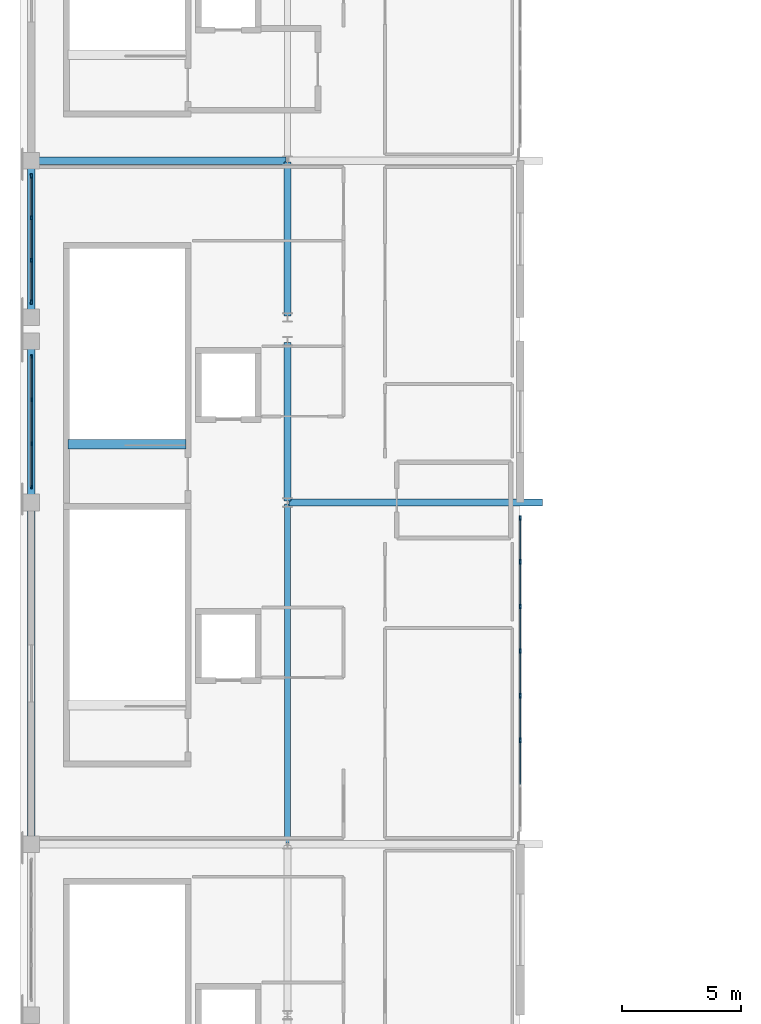
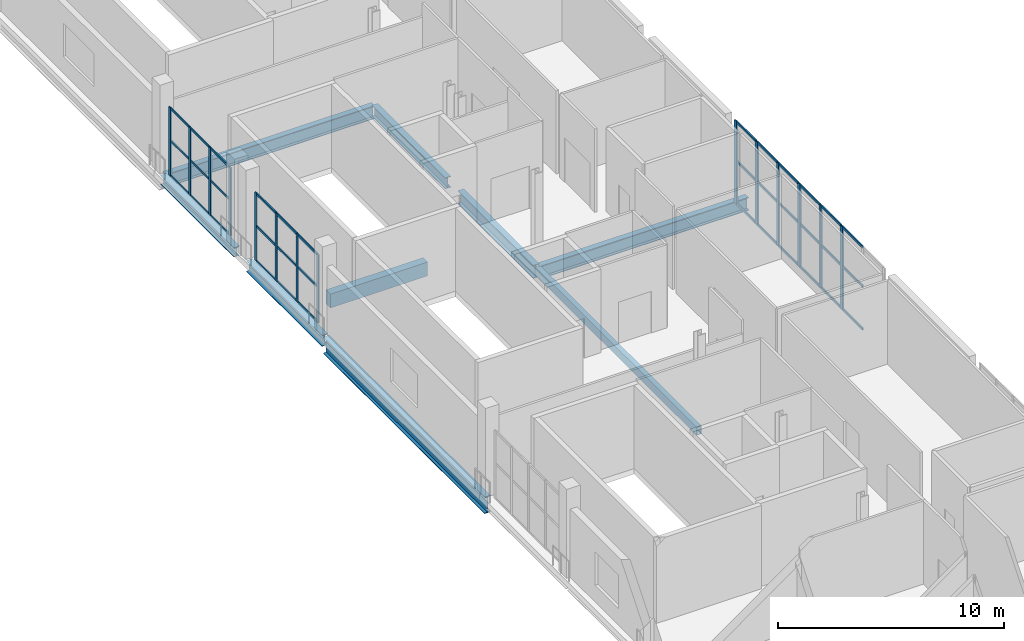
# One storey, part 5 of 19: 50 members, 9 beams, 3 elements without a shape of their own.
"""IFC4 building model written with IfcOpenShell, lengths in metres."""

import ifcopenshell
import ifcopenshell.guid

model = None  # the IFC model being written
_history = None  # IfcOwnerHistory: only IFC2X3 demands one
_inside = {}  # id of a spatial element -> (the spatial element, [elements in it])
_under = {}  # id of a project, library or spatial element -> (it, [spatial elements below it])
_declared = {}  # id of a project -> (the project, [libraries it declares])
_typed = {}  # id of a type object -> (the type object, [elements of that type])
_made_of = {}  # id of a material, layer set ... -> (it, [elements and type objects made of it])


def new_model(schema):
    """Start an empty IFC model of exactly this schema.

    Asked for "IFC4X3", IfcOpenShell would pick the latest addendum, in which some entities
    have other attributes; the version numbers below select the first issue.
    IFC2X3 requires an IfcOwnerHistory on every rooted entity: one is made here for all.
    """
    global model, _history
    if schema == "IFC4X3":
        model = ifcopenshell.file(schema_version=(4, 3, 0, 0))
    else:
        model = ifcopenshell.file(schema=schema)
    _inside.clear()
    _under.clear()
    _declared.clear()
    _typed.clear()
    _made_of.clear()
    _history = None
    if model.schema == "IFC2X3":
        org = make("IfcOrganization", Name="unknown")
        user = make(
            "IfcPersonAndOrganization",
            ThePerson=make("IfcPerson", FamilyName="unknown"),
            TheOrganization=org,
        )
        app = make(
            "IfcApplication",
            ApplicationDeveloper=org,
            Version="unknown",
            ApplicationFullName="unknown",
            ApplicationIdentifier="unknown",
        )
        _history = make(
            "IfcOwnerHistory",
            OwningUser=user,
            OwningApplication=app,
            ChangeAction="ADDED",
            CreationDate=0,
        )
    return model


def make(cls, **values):
    """One entity of the class cls with the attributes given. An attribute that is None is left unset."""
    return model.create_entity(
        cls, **{name: value for name, value in values.items() if value is not None}
    )


def rooted(cls, **values):
    """An entity with a GlobalId (a new one), such as an element, a storey or a relation."""
    return make(cls, GlobalId=ifcopenshell.guid.new(), OwnerHistory=_history, **values)


def si_unit(unit_type, name, prefix=None):
    """IfcSIUnit, for example si_unit("LENGTHUNIT", "METRE", prefix="MILLI")."""
    return make("IfcSIUnit", UnitType=unit_type, Prefix=prefix, Name=name)


def assignment(units):
    """IfcUnitAssignment: the units of a project."""
    return None if units is None else make("IfcUnitAssignment", Units=units)


def point(xyz):
    """IfcCartesianPoint."""
    return None if xyz is None else make("IfcCartesianPoint", Coordinates=xyz)


def direction(xyz):
    """IfcDirection."""
    return None if xyz is None else make("IfcDirection", DirectionRatios=xyz)


def frame(location, z_axis=None, x_axis=None):
    """IfcAxis2Placement3D, a coordinate frame: its origin and axes. An axis left out is left unset."""
    return make(
        "IfcAxis2Placement3D",
        Location=point(location),
        Axis=direction(z_axis),
        RefDirection=direction(x_axis),
    )


def frame_2d(location, x_axis=None):
    """IfcAxis2Placement2D, a coordinate frame in the plane: its origin and x axis."""
    return make(
        "IfcAxis2Placement2D", Location=point(location), RefDirection=direction(x_axis)
    )


def origin():
    """The frame at (0, 0, 0) with its axes left unset."""
    return frame((0.0, 0.0, 0.0))


def origin_2d():
    """The frame at (0, 0) in the plane with its x axis left unset."""
    return frame_2d((0.0, 0.0))


def place(relative_to, where):
    """IfcLocalPlacement: puts the frame where relative to a parent placement (None: the world)."""
    return make(
        "IfcLocalPlacement", PlacementRelTo=relative_to, RelativePlacement=where
    )


def context(
    kind, dimensions, precision=None, world=None, true_north=None, identifier=None
):
    """IfcGeometricRepresentationContext, for example the 3D "Model" context."""
    return make(
        "IfcGeometricRepresentationContext",
        ContextIdentifier=identifier,
        ContextType=kind,
        CoordinateSpaceDimension=dimensions,
        Precision=precision,
        WorldCoordinateSystem=world,
        TrueNorth=true_north,
    )


def subcontext(parent, identifier, kind, view, scale=None):
    """IfcGeometricRepresentationSubContext, for example "Body" below "Model"."""
    return make(
        "IfcGeometricRepresentationSubContext",
        ContextIdentifier=identifier,
        ContextType=kind,
        ParentContext=parent,
        TargetScale=scale,
        TargetView=view,
    )


def project(units=None, contexts=None):
    """IfcProject with its units and contexts."""
    return rooted(
        "IfcProject",
        Name="project",
        RepresentationContexts=contexts,
        UnitsInContext=assignment(units),
    )


def spatial(cls, under=None, at=None, **own):
    """A site, building, storey or space (cls), placed at a placement, below another one or the project."""
    s = rooted(cls, ObjectPlacement=at, **own)
    if under is not None:
        _under.setdefault(under.id(), (under, []))[1].append(s)
    return s


def profile(cls, at=None, kind="AREA", **sizes):
    """A parametric profile (cls). Its sizes go by their IFC names, for example OverallWidth=200.0."""
    return make(cls, ProfileType=kind, Position=at, **sizes)


def rectangle(**sizes):
    """IfcRectangleProfileDef."""
    return profile("IfcRectangleProfileDef", **sizes)


def hollow_rectangle(**sizes):
    """IfcRectangleHollowProfileDef."""
    return profile("IfcRectangleHollowProfileDef", **sizes)


def i_section(**sizes):
    """IfcIShapeProfileDef."""
    return profile("IfcIShapeProfileDef", **sizes)


def extrude(swept, where, along, depth):
    """IfcExtrudedAreaSolid: the profile swept, set in the frame where, extruded along a direction by depth."""
    return make(
        "IfcExtrudedAreaSolid",
        SweptArea=swept,
        Position=where,
        ExtrudedDirection=direction(along),
        Depth=depth,
    )


def shape(context_of_items, identifier, shape_type, items):
    """IfcShapeRepresentation: the items that make up one representation, for example the "Body"."""
    return make(
        "IfcShapeRepresentation",
        ContextOfItems=context_of_items,
        RepresentationIdentifier=identifier,
        RepresentationType=shape_type,
        Items=items,
    )


def material(Name=None, Category=None):
    """IfcMaterial."""
    return make("IfcMaterial", Name=Name, Category=Category)


def material_profile(
    of_material, cross_section, Name=None, Category=None, Priority=None
):
    """IfcMaterialProfile: a cross section and its material."""
    return make(
        "IfcMaterialProfile",
        Name=Name,
        Material=of_material,
        Profile=cross_section,
        Priority=Priority,
        Category=Category,
    )


def profile_set(profiles, Name=None, composite=None):
    """IfcMaterialProfileSet."""
    return make(
        "IfcMaterialProfileSet",
        Name=Name,
        MaterialProfiles=profiles,
        CompositeProfile=composite,
    )


def made_of(thing, what):
    """Note that an element or type object is made of a material, layer set ...; save() writes the relation."""
    if what is not None:
        _made_of.setdefault(what.id(), (what, []))[1].append(thing)
    return thing


def type_object(cls, material=None, **own):
    """A type object (cls), such as IfcWallType, which elements share."""
    return made_of(rooted(cls, **own), material)


def element(
    cls,
    number,
    at=None,
    inside=None,
    cuts=None,
    type_object=None,
    material=None,
    context=None,
    identifier="Body",
    shape_type=None,
    held_by="IfcProductDefinitionShape",
    body=None,
    shapes=None,
    **own,
):
    """One element of the class cls, such as IfcWall. Its Tag is "e" and its number.

    at: its placement. inside: the storey or other place that contains it. cuts: it is an
    opening in that element (IfcRelVoidsElement). A single representation is given by context,
    identifier, shape_type and body (its items); several are given by shapes. held_by: the class
    of the entity that holds the representations. save() writes the other relations.
    """
    e = rooted(cls, Tag="e%d" % number, ObjectPlacement=at, **own)
    if body is not None:
        shapes = [shape(context, identifier, shape_type, body)]
    if shapes is not None:
        e.Representation = make(held_by, Representations=shapes)
    if inside is not None:
        _inside.setdefault(inside.id(), (inside, []))[1].append(e)
    if cuts is not None:
        rooted(
            "IfcRelVoidsElement", RelatingBuildingElement=cuts, RelatedOpeningElement=e
        )
    if type_object is not None:
        _typed.setdefault(type_object.id(), (type_object, []))[1].append(e)
    return made_of(e, material)


def aggregate(whole, parts):
    """IfcRelAggregates: a whole, such as a stair, and the parts it consists of."""
    return rooted("IfcRelAggregates", RelatingObject=whole, RelatedObjects=parts)


def save(model, path):
    """Write the relations noted so far, then the file.

    IfcRelAggregates (storeys below a building ...), IfcRelContainedInSpatialStructure (elements
    in a storey), IfcRelDefinesByType, IfcRelAssociatesMaterial and IfcRelDeclares: one each for
    every whole, place, type object, material and project.
    """
    for whole, parts in _under.values():
        aggregate(whole, parts)
    for where, things in _inside.values():
        rooted(
            "IfcRelContainedInSpatialStructure",
            RelatedElements=things,
            RelatingStructure=where,
        )
    for kind, things in _typed.values():
        rooted("IfcRelDefinesByType", RelatedObjects=things, RelatingType=kind)
    for what, things in _made_of.values():
        rooted("IfcRelAssociatesMaterial", RelatedObjects=things, RelatingMaterial=what)
    for by, libraries in _declared.values():
        rooted("IfcRelDeclares", RelatingContext=by, RelatedDefinitions=libraries)
    model.write(path)


model = new_model("IFC4")

# Units and contexts
model_context = context("Model", 3, precision=1e-05, world=origin(), true_north=direction((0.0, 1.0)))
body_context = subcontext(model_context, "Body", "Model", "MODEL_VIEW")
ifc_project = project(units=[si_unit("LENGTHUNIT", "METRE"), si_unit("AREAUNIT", "SQUARE_METRE"), si_unit("VOLUMEUNIT", "CUBIC_METRE"), si_unit("PLANEANGLEUNIT", "RADIAN"), si_unit("MASSUNIT", "GRAM", prefix="KILO")], contexts=[model_context])

# Site, building, storey
site_placement = place(None, origin())
site = spatial("IfcSite", under=ifc_project, at=site_placement, CompositionType="ELEMENT")
building_placement = place(site_placement, origin())
building = spatial("IfcBuilding", under=site, at=building_placement, Name="Koshinbarg Plaza Stadium", CompositionType="ELEMENT")
storey_placement = place(building_placement, frame((0.0, 0.0, 29.39990234375)))
storey = spatial("IfcBuildingStorey", under=building, at=storey_placement, Name="L06", CompositionType="ELEMENT", Elevation=29.39990234375)

# Beams
ifc_material_1 = material(Name="Concrete C40/50", Category="concrete")
ifc_material_profile_1 = material_profile(ifc_material_1, rectangle(XDim=0.39990234375, YDim=0.75, at=origin_2d()), Name="RC 400x750")
ifc_profile_set_1 = profile_set([ifc_material_profile_1], Name="Concrete C40/50")
beam_type_1 = type_object("IfcBeamType", Name="BM-RCG-03", PredefinedType="USERDEFINED", material=ifc_profile_set_1)
beam_1_placement = place(storey_placement, frame((26.14990234375, 71.159912109375, -0.375), z_axis=(1.0, 0.0, 0.0), x_axis=(0.0, 1.0, 0.0)))
element("IfcBeam", 1, at=beam_1_placement, inside=storey, type_object=beam_type_1, Name="L06 stair landing header beam C04", ObjectType="GIRDER", PredefinedType="USERDEFINED", context=body_context, shape_type="SweptSolid", body=[
    extrude(rectangle(XDim=0.39990234375, YDim=0.75, at=origin_2d()), origin(), (0.0, 0.0, 1.0), 4.97021484375),
])
ifc_material_2 = material(Name="Steel S355", Category="steel")
ifc_material_profile_2 = material_profile(ifc_material_2, i_section(OverallWidth=0.300048828125, OverallDepth=0.5, WebThickness=0.014404296875, FlangeThickness=0.028076171875, at=origin_2d()), Name="HEB 500")
ifc_profile_set_2 = profile_set([ifc_material_profile_2], Name="Steel S355")
beam_type_2 = type_object("IfcBeamType", Name="BM-SGIR-01", PredefinedType="USERDEFINED", material=ifc_profile_set_2)
beam_2_placement = place(storey_placement, frame((24.60009765625, 76.56005859375, -0.5498046875), z_axis=(0.0, 1.0, 0.0), x_axis=(-1.0, 0.0, 0.0)))
element("IfcBeam", 2, at=beam_2_placement, inside=storey, type_object=beam_type_2, Name="L06 Y girder 5/L-M", ObjectType="GIRDER", PredefinedType="USERDEFINED", context=body_context, shape_type="SweptSolid", body=[
    extrude(i_section(OverallWidth=0.300048828125, OverallDepth=0.5, WebThickness=0.014404296875, FlangeThickness=0.028076171875, at=origin_2d()), origin(), (0.0, 0.0, 1.0), 6.47998046875),
])
ifc_material_profile_3 = material_profile(ifc_material_2, i_section(OverallWidth=0.300048828125, OverallDepth=0.60009765625, WebThickness=0.015380859375, FlangeThickness=0.030029296875, at=origin_2d()), Name="HEB 600")
ifc_profile_set_3 = profile_set([ifc_material_profile_3], Name="Steel S355")
beam_type_3 = type_object("IfcBeamType", Name="BM-SGIR-02", PredefinedType="USERDEFINED", material=ifc_profile_set_3)
beam_3_placement = place(storey_placement, frame((24.60009765625, 68.760009765625, -0.599853515625), z_axis=(0.0, 1.0, 0.0), x_axis=(-1.0, 0.0, 0.0)))
element("IfcBeam", 3, at=beam_3_placement, inside=storey, type_object=beam_type_3, Name="L06 Y girder 5/J-K", ObjectType="GIRDER", PredefinedType="USERDEFINED", context=body_context, shape_type="SweptSolid", body=[
    extrude(i_section(OverallWidth=0.300048828125, OverallDepth=0.60009765625, WebThickness=0.015380859375, FlangeThickness=0.030029296875, at=origin_2d()), origin(), (0.0, 0.0, 1.0), 6.679931640625),
])
beam_4_placement = place(storey_placement, frame((35.39990234375, 76.56005859375, -0.599853515625), z_axis=(0.0, 1.0, 0.0), x_axis=(-1.0, 0.0, 0.0)))
element("IfcBeam", 4, at=beam_4_placement, inside=storey, type_object=beam_type_3, Name="L06 Y girder 6/L-M", ObjectType="GIRDER", PredefinedType="USERDEFINED", context=body_context, shape_type="SweptSolid", body=[
    extrude(i_section(OverallWidth=0.300048828125, OverallDepth=0.60009765625, WebThickness=0.015380859375, FlangeThickness=0.030029296875, at=origin_2d()), origin(), (0.0, 0.0, 1.0), 6.47998046875),
])
ifc_material_profile_4 = material_profile(ifc_material_2, i_section(OverallWidth=0.300048828125, OverallDepth=0.699951171875, WebThickness=0.01708984375, FlangeThickness=0.031982421875, at=origin_2d()), Name="HEB 700")
ifc_profile_set_4 = profile_set([ifc_material_profile_4], Name="Steel S355")
beam_type_4 = type_object("IfcBeamType", Name="BM-SGIR-03", PredefinedType="USERDEFINED", material=ifc_profile_set_4)
beam_5_placement = place(storey_placement, frame((35.4599609375, 68.699951171875, -0.64990234375), z_axis=(1.0, 0.0, 0.0), x_axis=(0.0, 1.0, 0.0)))
element("IfcBeam", 5, at=beam_5_placement, inside=storey, type_object=beam_type_4, Name="L06 X girder J/6-7", ObjectType="GIRDER", PredefinedType="USERDEFINED", context=body_context, shape_type="SweptSolid", body=[
    extrude(i_section(OverallWidth=0.300048828125, OverallDepth=0.699951171875, WebThickness=0.01708984375, FlangeThickness=0.031982421875, at=origin_2d()), origin(), (0.0, 0.0, 1.0), 10.679931640625),
])
beam_6_placement = place(storey_placement, frame((24.659912109375, 83.10009765625, -0.64990234375), z_axis=(1.0, 0.0, 0.0), x_axis=(0.0, 1.0, 0.0)))
element("IfcBeam", 6, at=beam_6_placement, inside=storey, type_object=beam_type_4, Name="L06 X girder M/5-6", ObjectType="GIRDER", PredefinedType="USERDEFINED", context=body_context, shape_type="SweptSolid", body=[
    extrude(i_section(OverallWidth=0.300048828125, OverallDepth=0.699951171875, WebThickness=0.01708984375, FlangeThickness=0.031982421875, at=origin_2d()), origin(), (0.0, 0.0, 1.0), 10.68017578125),
])
beam_7_placement = place(storey_placement, frame((35.39990234375, 68.760009765625, -0.64990234375), z_axis=(0.0, 1.0, 0.0), x_axis=(-1.0, 0.0, 0.0)))
element("IfcBeam", 7, at=beam_7_placement, inside=storey, type_object=beam_type_4, Name="L06 Y girder 6/J-K", ObjectType="GIRDER", PredefinedType="USERDEFINED", context=body_context, shape_type="SweptSolid", body=[
    extrude(i_section(OverallWidth=0.300048828125, OverallDepth=0.699951171875, WebThickness=0.01708984375, FlangeThickness=0.031982421875, at=origin_2d()), origin(), (0.0, 0.0, 1.0), 6.679931640625),
])
ifc_material_profile_5 = material_profile(ifc_material_2, i_section(OverallWidth=0.300048828125, OverallDepth=0.89990234375, WebThickness=0.0185546875, FlangeThickness=0.034912109375, at=origin_2d()), Name="HEB 900")
ifc_profile_set_5 = profile_set([ifc_material_profile_5], Name="Steel S355")
beam_type_5 = type_object("IfcBeamType", Name="BM-SGIR-05", PredefinedType="USERDEFINED", material=ifc_profile_set_5)
beam_8_placement = place(storey_placement, frame((24.60009765625, 54.360107421875, -0.75), z_axis=(0.0, 1.0, 0.0), x_axis=(-1.0, 0.0, 0.0)))
element("IfcBeam", 8, at=beam_8_placement, inside=storey, type_object=beam_type_5, Name="L06 Y girder 5/H-J", ObjectType="GIRDER", PredefinedType="USERDEFINED", context=body_context, shape_type="SweptSolid", body=[
    extrude(i_section(OverallWidth=0.300048828125, OverallDepth=0.89990234375, WebThickness=0.0185546875, FlangeThickness=0.034912109375, at=origin_2d()), origin(), (0.0, 0.0, 1.0), 14.27978515625),
])
ifc_material_profile_6 = material_profile(ifc_material_2, hollow_rectangle(XDim=0.25, YDim=0.449951171875, WallThickness=0.01611328125, at=origin_2d()), Name="RHS 450x250x16")
ifc_profile_set_6 = profile_set([ifc_material_profile_6], Name="Steel S355")
beam_type_6 = type_object("IfcBeamType", Name="BM-SGIR-06", PredefinedType="USERDEFINED", material=ifc_profile_set_6)
beam_9_placement = place(storey_placement, frame((35.39990234375, 54.360107421875, -0.52490234375), z_axis=(0.0, 1.0, 0.0), x_axis=(-1.0, 0.0, 0.0)))
element("IfcBeam", 9, at=beam_9_placement, inside=storey, type_object=beam_type_6, Name="L06 Y girder 6/H-J", ObjectType="GIRDER", PredefinedType="USERDEFINED", context=body_context, shape_type="SweptSolid", body=[
    extrude(hollow_rectangle(XDim=0.25, YDim=0.449951171875, WallThickness=0.01611328125, at=origin_2d()), origin(), (0.0, 0.0, 1.0), 14.27978515625),
])

# Curtain wall, members
ifc_material_3 = material(Name="Thermally broken anodised aluminium and low-E double glazing", Category="aluminium")
curtain_wall_type_1 = type_object("IfcCurtainWallType", Name="CW-SYS-10", PredefinedType="NOTDEFINED", material=ifc_material_3)
curtain_wall_1_placement = place(storey_placement, origin())
curtain_wall_1 = element("IfcCurtainWall", 10, at=curtain_wall_1_placement, inside=storey, type_object=curtain_wall_type_1, Name="L06 unitised curtain wall CW-L06-153", PredefinedType="NOTDEFINED")
ifc_material_4 = material(Name="Anodised aluminium mullion", Category="aluminium")
ifc_material_profile_7 = material_profile(ifc_material_4, rectangle(XDim=0.06005859375, YDim=0.159912109375, at=origin_2d()), Name="ALU 60x160")
ifc_profile_set_7 = profile_set([ifc_material_profile_7], Name="Anodised aluminium mullion")
member_type_1 = type_object("IfcMemberType", Name="CW-MUL-02", PredefinedType="MULLION", material=ifc_profile_set_7)
member_1_placement = place(storey_placement, frame((24.60009765625, 69.35009765625, 0.0), z_axis=(0.0, 0.0, 1.0), x_axis=(-1.0, 0.0, 0.0)))
member_1 = element("IfcMember", 11, at=member_1_placement, type_object=member_type_1, Name="CW10 mullion 1", PredefinedType="MULLION", context=body_context, shape_type="SweptSolid", body=[
    extrude(rectangle(XDim=0.06005859375, YDim=0.159912109375, at=origin_2d()), origin(), (0.0, 0.0, 1.0), 3.68017578125),
])
member_2_placement = place(storey_placement, frame((24.60009765625, 71.17333984375, 0.0), z_axis=(0.0, 0.0, 1.0), x_axis=(-1.0, 0.0, 0.0)))
member_2 = element("IfcMember", 12, at=member_2_placement, type_object=member_type_1, Name="CW10 mullion 2", PredefinedType="MULLION", context=body_context, shape_type="SweptSolid", body=[
    extrude(rectangle(XDim=0.06005859375, YDim=0.159912109375, at=origin_2d()), origin(), (0.0, 0.0, 1.0), 3.68017578125),
])
member_3_placement = place(storey_placement, frame((24.60009765625, 73.026611328125, 0.0), z_axis=(0.0, 0.0, 1.0), x_axis=(-1.0, 0.0, 0.0)))
member_3 = element("IfcMember", 13, at=member_3_placement, type_object=member_type_1, Name="CW10 mullion 3", PredefinedType="MULLION", context=body_context, shape_type="SweptSolid", body=[
    extrude(rectangle(XDim=0.06005859375, YDim=0.159912109375, at=origin_2d()), origin(), (0.0, 0.0, 1.0), 3.68017578125),
])
member_4_placement = place(storey_placement, frame((24.60009765625, 74.85009765625, 0.0), z_axis=(0.0, 0.0, 1.0), x_axis=(-1.0, 0.0, 0.0)))
member_4 = element("IfcMember", 14, at=member_4_placement, type_object=member_type_1, Name="CW10 mullion 4", PredefinedType="MULLION", context=body_context, shape_type="SweptSolid", body=[
    extrude(rectangle(XDim=0.06005859375, YDim=0.159912109375, at=origin_2d()), origin(), (0.0, 0.0, 1.0), 3.68017578125),
])

curtain_wall_type_2 = type_object("IfcCurtainWallType", Name="CW-SYS-11", PredefinedType="NOTDEFINED", material=ifc_material_3)
curtain_wall_2_placement = place(storey_placement, origin())
curtain_wall_2 = element("IfcCurtainWall", 15, at=curtain_wall_2_placement, inside=storey, type_object=curtain_wall_type_2, Name="L06 unitised curtain wall CW-L06-154", PredefinedType="NOTDEFINED")
ifc_material_profile_8 = material_profile(ifc_material_4, rectangle(XDim=0.070068359375, YDim=0.179931640625, at=origin_2d()), Name="ALU 70x180")
ifc_profile_set_8 = profile_set([ifc_material_profile_8], Name="Anodised aluminium mullion")
member_type_2 = type_object("IfcMemberType", Name="CW-MUL-03", PredefinedType="MULLION", material=ifc_profile_set_8)
member_5_placement = place(storey_placement, frame((24.60009765625, 77.14990234375, 0.0), z_axis=(0.0, 0.0, 1.0), x_axis=(-1.0, 0.0, 0.0)))
member_5 = element("IfcMember", 16, at=member_5_placement, type_object=member_type_2, Name="CW11 mullion 1", PredefinedType="MULLION", context=body_context, shape_type="SweptSolid", body=[
    extrude(rectangle(XDim=0.070068359375, YDim=0.179931640625, at=origin_2d()), origin(), (0.0, 0.0, 1.0), 3.68017578125),
])
member_6_placement = place(storey_placement, frame((24.60009765625, 78.90673828125, 0.0), z_axis=(0.0, 0.0, 1.0), x_axis=(-1.0, 0.0, 0.0)))
member_6 = element("IfcMember", 17, at=member_6_placement, type_object=member_type_2, Name="CW11 mullion 2", PredefinedType="MULLION", context=body_context, shape_type="SweptSolid", body=[
    extrude(rectangle(XDim=0.070068359375, YDim=0.179931640625, at=origin_2d()), origin(), (0.0, 0.0, 1.0), 3.68017578125),
])
member_7_placement = place(storey_placement, frame((24.60009765625, 80.693359375, 0.0), z_axis=(0.0, 0.0, 1.0), x_axis=(-1.0, 0.0, 0.0)))
member_7 = element("IfcMember", 18, at=member_7_placement, type_object=member_type_2, Name="CW11 mullion 3", PredefinedType="MULLION", context=body_context, shape_type="SweptSolid", body=[
    extrude(rectangle(XDim=0.070068359375, YDim=0.179931640625, at=origin_2d()), origin(), (0.0, 0.0, 1.0), 3.68017578125),
])
member_8_placement = place(storey_placement, frame((24.60009765625, 82.449951171875, 0.0), z_axis=(0.0, 0.0, 1.0), x_axis=(-1.0, 0.0, 0.0)))
member_8 = element("IfcMember", 19, at=member_8_placement, type_object=member_type_2, Name="CW11 mullion 4", PredefinedType="MULLION", context=body_context, shape_type="SweptSolid", body=[
    extrude(rectangle(XDim=0.070068359375, YDim=0.179931640625, at=origin_2d()), origin(), (0.0, 0.0, 1.0), 3.68017578125),
])

curtain_wall_type_3 = type_object("IfcCurtainWallType", Name="CW-SYS-16", PredefinedType="NOTDEFINED", material=ifc_material_3)
curtain_wall_3_placement = place(storey_placement, origin())
curtain_wall_3 = element("IfcCurtainWall", 20, at=curtain_wall_3_placement, inside=storey, type_object=curtain_wall_type_3, Name="L06 unitised curtain wall CW-L06-159", PredefinedType="NOTDEFINED")
ifc_material_profile_9 = material_profile(ifc_material_4, rectangle(XDim=0.070068359375, YDim=0.199951171875, at=origin_2d()), Name="ALU 70x200")
ifc_profile_set_9 = profile_set([ifc_material_profile_9], Name="Anodised aluminium mullion")
member_type_3 = type_object("IfcMemberType", Name="CW-MUL-04", PredefinedType="MULLION", material=ifc_profile_set_9)
member_9_placement = place(storey_placement, frame((45.199951171875, 68.050048828125, 0.0), z_axis=(0.0, 0.0, 1.0), x_axis=(1.0, 0.0, 0.0)))
member_9 = element("IfcMember", 21, at=member_9_placement, type_object=member_type_3, Name="CW16 mullion 1", PredefinedType="MULLION", context=body_context, shape_type="SweptSolid", body=[
    extrude(rectangle(XDim=0.070068359375, YDim=0.199951171875, at=origin_2d()), origin(), (0.0, 0.0, 1.0), 4.47998046875),
])
member_10_placement = place(storey_placement, frame((45.199951171875, 66.199951171875, 0.0), z_axis=(0.0, 0.0, 1.0), x_axis=(1.0, 0.0, 0.0)))
member_10 = element("IfcMember", 22, at=member_10_placement, type_object=member_type_3, Name="CW16 mullion 2", PredefinedType="MULLION", context=body_context, shape_type="SweptSolid", body=[
    extrude(rectangle(XDim=0.070068359375, YDim=0.199951171875, at=origin_2d()), origin(), (0.0, 0.0, 1.0), 4.47998046875),
])
member_11_placement = place(storey_placement, frame((45.199951171875, 64.320068359375, 0.0), z_axis=(0.0, 0.0, 1.0), x_axis=(1.0, 0.0, 0.0)))
member_11 = element("IfcMember", 23, at=member_11_placement, type_object=member_type_3, Name="CW16 mullion 3", PredefinedType="MULLION", context=body_context, shape_type="SweptSolid", body=[
    extrude(rectangle(XDim=0.070068359375, YDim=0.199951171875, at=origin_2d()), origin(), (0.0, 0.0, 1.0), 4.47998046875),
])
member_12_placement = place(storey_placement, frame((45.199951171875, 62.43994140625, 0.0), z_axis=(0.0, 0.0, 1.0), x_axis=(1.0, 0.0, 0.0)))
member_12 = element("IfcMember", 24, at=member_12_placement, type_object=member_type_3, Name="CW16 mullion 4", PredefinedType="MULLION", context=body_context, shape_type="SweptSolid", body=[
    extrude(rectangle(XDim=0.070068359375, YDim=0.199951171875, at=origin_2d()), origin(), (0.0, 0.0, 1.0), 4.47998046875),
])
member_13_placement = place(storey_placement, frame((45.199951171875, 60.56005859375, 0.0), z_axis=(0.0, 0.0, 1.0), x_axis=(1.0, 0.0, 0.0)))
member_13 = element("IfcMember", 25, at=member_13_placement, type_object=member_type_3, Name="CW16 mullion 5", PredefinedType="MULLION", context=body_context, shape_type="SweptSolid", body=[
    extrude(rectangle(XDim=0.070068359375, YDim=0.199951171875, at=origin_2d()), origin(), (0.0, 0.0, 1.0), 4.47998046875),
])
member_14_placement = place(storey_placement, frame((45.199951171875, 58.679931640625, 0.0), z_axis=(0.0, 0.0, 1.0), x_axis=(1.0, 0.0, 0.0)))
member_14 = element("IfcMember", 26, at=member_14_placement, type_object=member_type_3, Name="CW16 mullion 6", PredefinedType="MULLION", context=body_context, shape_type="SweptSolid", body=[
    extrude(rectangle(XDim=0.070068359375, YDim=0.199951171875, at=origin_2d()), origin(), (0.0, 0.0, 1.0), 4.47998046875),
])

# Member
ifc_material_5 = material(Name="Anodised aluminium transom", Category="aluminium")
ifc_material_profile_10 = material_profile(ifc_material_5, rectangle(XDim=0.06005859375, YDim=0.110107421875, at=origin_2d()), Name="ALU 60x110")
ifc_profile_set_10 = profile_set([ifc_material_profile_10], Name="Anodised aluminium transom")
member_type_4 = type_object("IfcMemberType", Name="CW-TRN-01", PredefinedType="USERDEFINED", material=ifc_profile_set_10)
member_15_placement = place(storey_placement, frame((24.60009765625, 77.179931640625, 0.030029296875), z_axis=(0.0, 1.0, 0.0), x_axis=(-1.0, 0.0, 0.0)))
member_15 = element("IfcMember", 27, at=member_15_placement, type_object=member_type_4, Name="CW11 transom 1.1", ObjectType="TRANSOM", PredefinedType="USERDEFINED", context=body_context, shape_type="SweptSolid", body=[
    extrude(rectangle(XDim=0.06005859375, YDim=0.110107421875, at=origin_2d()), origin(), (0.0, 0.0, 1.0), 1.69677734375),
])

member_16_placement = place(storey_placement, frame((24.60009765625, 77.179931640625, 1.913818359375), z_axis=(0.0, 1.0, 0.0), x_axis=(-1.0, 0.0, 0.0)))
member_16 = element("IfcMember", 28, at=member_16_placement, type_object=member_type_4, Name="CW11 transom 1.2", ObjectType="TRANSOM", PredefinedType="USERDEFINED", context=body_context, shape_type="SweptSolid", body=[
    extrude(rectangle(XDim=0.06005859375, YDim=0.110107421875, at=origin_2d()), origin(), (0.0, 0.0, 1.0), 1.69677734375),
])

member_17_placement = place(storey_placement, frame((24.60009765625, 77.179931640625, 3.650146484375), z_axis=(0.0, 1.0, 0.0), x_axis=(-1.0, 0.0, 0.0)))
member_17 = element("IfcMember", 29, at=member_17_placement, type_object=member_type_4, Name="CW11 transom 1.3", ObjectType="TRANSOM", PredefinedType="USERDEFINED", context=body_context, shape_type="SweptSolid", body=[
    extrude(rectangle(XDim=0.06005859375, YDim=0.110107421875, at=origin_2d()), origin(), (0.0, 0.0, 1.0), 1.69677734375),
])

member_18_placement = place(storey_placement, frame((24.60009765625, 78.936767578125, 0.030029296875), z_axis=(0.0, 1.0, 0.0), x_axis=(-1.0, 0.0, 0.0)))
member_18 = element("IfcMember", 30, at=member_18_placement, type_object=member_type_4, Name="CW11 transom 2.1", ObjectType="TRANSOM", PredefinedType="USERDEFINED", context=body_context, shape_type="SweptSolid", body=[
    extrude(rectangle(XDim=0.06005859375, YDim=0.110107421875, at=origin_2d()), origin(), (0.0, 0.0, 1.0), 1.7265625),
])

member_19_placement = place(storey_placement, frame((24.60009765625, 78.936767578125, 1.913818359375), z_axis=(0.0, 1.0, 0.0), x_axis=(-1.0, 0.0, 0.0)))
member_19 = element("IfcMember", 31, at=member_19_placement, type_object=member_type_4, Name="CW11 transom 2.2", ObjectType="TRANSOM", PredefinedType="USERDEFINED", context=body_context, shape_type="SweptSolid", body=[
    extrude(rectangle(XDim=0.06005859375, YDim=0.110107421875, at=origin_2d()), origin(), (0.0, 0.0, 1.0), 1.7265625),
])

member_20_placement = place(storey_placement, frame((24.60009765625, 78.936767578125, 3.650146484375), z_axis=(0.0, 1.0, 0.0), x_axis=(-1.0, 0.0, 0.0)))
member_20 = element("IfcMember", 32, at=member_20_placement, type_object=member_type_4, Name="CW11 transom 2.3", ObjectType="TRANSOM", PredefinedType="USERDEFINED", context=body_context, shape_type="SweptSolid", body=[
    extrude(rectangle(XDim=0.06005859375, YDim=0.110107421875, at=origin_2d()), origin(), (0.0, 0.0, 1.0), 1.7265625),
])

member_21_placement = place(storey_placement, frame((24.60009765625, 80.723388671875, 0.030029296875), z_axis=(0.0, 1.0, 0.0), x_axis=(-1.0, 0.0, 0.0)))
member_21 = element("IfcMember", 33, at=member_21_placement, type_object=member_type_4, Name="CW11 transom 3.1", ObjectType="TRANSOM", PredefinedType="USERDEFINED", context=body_context, shape_type="SweptSolid", body=[
    extrude(rectangle(XDim=0.06005859375, YDim=0.110107421875, at=origin_2d()), origin(), (0.0, 0.0, 1.0), 1.696533203125),
])

member_22_placement = place(storey_placement, frame((24.60009765625, 80.723388671875, 1.913818359375), z_axis=(0.0, 1.0, 0.0), x_axis=(-1.0, 0.0, 0.0)))
member_22 = element("IfcMember", 34, at=member_22_placement, type_object=member_type_4, Name="CW11 transom 3.2", ObjectType="TRANSOM", PredefinedType="USERDEFINED", context=body_context, shape_type="SweptSolid", body=[
    extrude(rectangle(XDim=0.06005859375, YDim=0.110107421875, at=origin_2d()), origin(), (0.0, 0.0, 1.0), 1.696533203125),
])

member_23_placement = place(storey_placement, frame((24.60009765625, 80.723388671875, 3.650146484375), z_axis=(0.0, 1.0, 0.0), x_axis=(-1.0, 0.0, 0.0)))
member_23 = element("IfcMember", 35, at=member_23_placement, type_object=member_type_4, Name="CW11 transom 3.3", ObjectType="TRANSOM", PredefinedType="USERDEFINED", context=body_context, shape_type="SweptSolid", body=[
    extrude(rectangle(XDim=0.06005859375, YDim=0.110107421875, at=origin_2d()), origin(), (0.0, 0.0, 1.0), 1.696533203125),
])

aggregate(curtain_wall_2, [member_5, member_6, member_7, member_8, member_15, member_16, member_17, member_18, member_19, member_20, member_21, member_22, member_23])

ifc_material_profile_11 = material_profile(ifc_material_5, rectangle(XDim=0.06005859375, YDim=0.1298828125, at=origin_2d()), Name="ALU 60x130")
ifc_profile_set_11 = profile_set([ifc_material_profile_11], Name="Anodised aluminium transom")
member_type_5 = type_object("IfcMemberType", Name="CW-TRN-02", PredefinedType="USERDEFINED", material=ifc_profile_set_11)
member_24_placement = place(storey_placement, frame((24.60009765625, 69.3798828125, 0.030029296875), z_axis=(0.0, 1.0, 0.0), x_axis=(-1.0, 0.0, 0.0)))
member_24 = element("IfcMember", 36, at=member_24_placement, type_object=member_type_5, Name="CW10 transom 1.1", ObjectType="TRANSOM", PredefinedType="USERDEFINED", context=body_context, shape_type="SweptSolid", body=[
    extrude(rectangle(XDim=0.06005859375, YDim=0.1298828125, at=origin_2d()), origin(), (0.0, 0.0, 1.0), 1.763427734375),
])

member_25_placement = place(storey_placement, frame((24.60009765625, 69.3798828125, 1.913818359375), z_axis=(0.0, 1.0, 0.0), x_axis=(-1.0, 0.0, 0.0)))
member_25 = element("IfcMember", 37, at=member_25_placement, type_object=member_type_5, Name="CW10 transom 1.2", ObjectType="TRANSOM", PredefinedType="USERDEFINED", context=body_context, shape_type="SweptSolid", body=[
    extrude(rectangle(XDim=0.06005859375, YDim=0.1298828125, at=origin_2d()), origin(), (0.0, 0.0, 1.0), 1.763427734375),
])

member_26_placement = place(storey_placement, frame((24.60009765625, 69.3798828125, 3.650146484375), z_axis=(0.0, 1.0, 0.0), x_axis=(-1.0, 0.0, 0.0)))
member_26 = element("IfcMember", 38, at=member_26_placement, type_object=member_type_5, Name="CW10 transom 1.3", ObjectType="TRANSOM", PredefinedType="USERDEFINED", context=body_context, shape_type="SweptSolid", body=[
    extrude(rectangle(XDim=0.06005859375, YDim=0.1298828125, at=origin_2d()), origin(), (0.0, 0.0, 1.0), 1.763427734375),
])

member_27_placement = place(storey_placement, frame((24.60009765625, 71.203369140625, 0.030029296875), z_axis=(0.0, 1.0, 0.0), x_axis=(-1.0, 0.0, 0.0)))
member_27 = element("IfcMember", 39, at=member_27_placement, type_object=member_type_5, Name="CW10 transom 2.1", ObjectType="TRANSOM", PredefinedType="USERDEFINED", context=body_context, shape_type="SweptSolid", body=[
    extrude(rectangle(XDim=0.06005859375, YDim=0.1298828125, at=origin_2d()), origin(), (0.0, 0.0, 1.0), 1.793212890625),
])

member_28_placement = place(storey_placement, frame((24.60009765625, 71.203369140625, 1.913818359375), z_axis=(0.0, 1.0, 0.0), x_axis=(-1.0, 0.0, 0.0)))
member_28 = element("IfcMember", 40, at=member_28_placement, type_object=member_type_5, Name="CW10 transom 2.2", ObjectType="TRANSOM", PredefinedType="USERDEFINED", context=body_context, shape_type="SweptSolid", body=[
    extrude(rectangle(XDim=0.06005859375, YDim=0.1298828125, at=origin_2d()), origin(), (0.0, 0.0, 1.0), 1.793212890625),
])

member_29_placement = place(storey_placement, frame((24.60009765625, 71.203369140625, 3.650146484375), z_axis=(0.0, 1.0, 0.0), x_axis=(-1.0, 0.0, 0.0)))
member_29 = element("IfcMember", 41, at=member_29_placement, type_object=member_type_5, Name="CW10 transom 2.3", ObjectType="TRANSOM", PredefinedType="USERDEFINED", context=body_context, shape_type="SweptSolid", body=[
    extrude(rectangle(XDim=0.06005859375, YDim=0.1298828125, at=origin_2d()), origin(), (0.0, 0.0, 1.0), 1.793212890625),
])

member_30_placement = place(storey_placement, frame((24.60009765625, 73.056640625, 0.030029296875), z_axis=(0.0, 1.0, 0.0), x_axis=(-1.0, 0.0, 0.0)))
member_30 = element("IfcMember", 42, at=member_30_placement, type_object=member_type_5, Name="CW10 transom 3.1", ObjectType="TRANSOM", PredefinedType="USERDEFINED", context=body_context, shape_type="SweptSolid", body=[
    extrude(rectangle(XDim=0.06005859375, YDim=0.1298828125, at=origin_2d()), origin(), (0.0, 0.0, 1.0), 1.763427734375),
])

member_31_placement = place(storey_placement, frame((24.60009765625, 73.056640625, 1.913818359375), z_axis=(0.0, 1.0, 0.0), x_axis=(-1.0, 0.0, 0.0)))
member_31 = element("IfcMember", 43, at=member_31_placement, type_object=member_type_5, Name="CW10 transom 3.2", ObjectType="TRANSOM", PredefinedType="USERDEFINED", context=body_context, shape_type="SweptSolid", body=[
    extrude(rectangle(XDim=0.06005859375, YDim=0.1298828125, at=origin_2d()), origin(), (0.0, 0.0, 1.0), 1.763427734375),
])

member_32_placement = place(storey_placement, frame((24.60009765625, 73.056640625, 3.650146484375), z_axis=(0.0, 1.0, 0.0), x_axis=(-1.0, 0.0, 0.0)))
member_32 = element("IfcMember", 44, at=member_32_placement, type_object=member_type_5, Name="CW10 transom 3.3", ObjectType="TRANSOM", PredefinedType="USERDEFINED", context=body_context, shape_type="SweptSolid", body=[
    extrude(rectangle(XDim=0.06005859375, YDim=0.1298828125, at=origin_2d()), origin(), (0.0, 0.0, 1.0), 1.763427734375),
])

aggregate(curtain_wall_1, [member_1, member_2, member_3, member_4, member_24, member_25, member_26, member_27, member_28, member_29, member_30, member_31, member_32])

member_33_placement = place(storey_placement, frame((45.199951171875, 68.02001953125, 0.030029296875), z_axis=(0.0, -1.0, 0.0), x_axis=(1.0, 0.0, 0.0)))
member_33 = element("IfcMember", 45, at=member_33_placement, type_object=member_type_5, Name="CW16 transom 1.1", ObjectType="TRANSOM", PredefinedType="USERDEFINED", context=body_context, shape_type="SweptSolid", body=[
    extrude(rectangle(XDim=0.06005859375, YDim=0.1298828125, at=origin_2d()), origin(), (0.0, 0.0, 1.0), 1.7900390625),
])

member_34_placement = place(storey_placement, frame((45.199951171875, 68.02001953125, 2.32958984375), z_axis=(0.0, -1.0, 0.0), x_axis=(1.0, 0.0, 0.0)))
member_34 = element("IfcMember", 46, at=member_34_placement, type_object=member_type_5, Name="CW16 transom 1.2", ObjectType="TRANSOM", PredefinedType="USERDEFINED", context=body_context, shape_type="SweptSolid", body=[
    extrude(rectangle(XDim=0.06005859375, YDim=0.1298828125, at=origin_2d()), origin(), (0.0, 0.0, 1.0), 1.7900390625),
])

member_35_placement = place(storey_placement, frame((45.199951171875, 68.02001953125, 4.4501953125), z_axis=(0.0, -1.0, 0.0), x_axis=(1.0, 0.0, 0.0)))
member_35 = element("IfcMember", 47, at=member_35_placement, type_object=member_type_5, Name="CW16 transom 1.3", ObjectType="TRANSOM", PredefinedType="USERDEFINED", context=body_context, shape_type="SweptSolid", body=[
    extrude(rectangle(XDim=0.06005859375, YDim=0.1298828125, at=origin_2d()), origin(), (0.0, 0.0, 1.0), 1.7900390625),
])

member_36_placement = place(storey_placement, frame((45.199951171875, 66.169921875, 0.030029296875), z_axis=(0.0, -1.0, 0.0), x_axis=(1.0, 0.0, 0.0)))
member_36 = element("IfcMember", 48, at=member_36_placement, type_object=member_type_5, Name="CW16 transom 2.1", ObjectType="TRANSOM", PredefinedType="USERDEFINED", context=body_context, shape_type="SweptSolid", body=[
    extrude(rectangle(XDim=0.06005859375, YDim=0.1298828125, at=origin_2d()), origin(), (0.0, 0.0, 1.0), 1.81982421875),
])

member_37_placement = place(storey_placement, frame((45.199951171875, 66.169921875, 2.32958984375), z_axis=(0.0, -1.0, 0.0), x_axis=(1.0, 0.0, 0.0)))
member_37 = element("IfcMember", 49, at=member_37_placement, type_object=member_type_5, Name="CW16 transom 2.2", ObjectType="TRANSOM", PredefinedType="USERDEFINED", context=body_context, shape_type="SweptSolid", body=[
    extrude(rectangle(XDim=0.06005859375, YDim=0.1298828125, at=origin_2d()), origin(), (0.0, 0.0, 1.0), 1.81982421875),
])

member_38_placement = place(storey_placement, frame((45.199951171875, 66.169921875, 4.4501953125), z_axis=(0.0, -1.0, 0.0), x_axis=(1.0, 0.0, 0.0)))
member_38 = element("IfcMember", 50, at=member_38_placement, type_object=member_type_5, Name="CW16 transom 2.3", ObjectType="TRANSOM", PredefinedType="USERDEFINED", context=body_context, shape_type="SweptSolid", body=[
    extrude(rectangle(XDim=0.06005859375, YDim=0.1298828125, at=origin_2d()), origin(), (0.0, 0.0, 1.0), 1.81982421875),
])

member_39_placement = place(storey_placement, frame((45.199951171875, 64.2900390625, 0.030029296875), z_axis=(0.0, -1.0, 0.0), x_axis=(1.0, 0.0, 0.0)))
member_39 = element("IfcMember", 51, at=member_39_placement, type_object=member_type_5, Name="CW16 transom 3.1", ObjectType="TRANSOM", PredefinedType="USERDEFINED", context=body_context, shape_type="SweptSolid", body=[
    extrude(rectangle(XDim=0.06005859375, YDim=0.1298828125, at=origin_2d()), origin(), (0.0, 0.0, 1.0), 1.820068359375),
])

member_40_placement = place(storey_placement, frame((45.199951171875, 64.2900390625, 2.32958984375), z_axis=(0.0, -1.0, 0.0), x_axis=(1.0, 0.0, 0.0)))
member_40 = element("IfcMember", 52, at=member_40_placement, type_object=member_type_5, Name="CW16 transom 3.2", ObjectType="TRANSOM", PredefinedType="USERDEFINED", context=body_context, shape_type="SweptSolid", body=[
    extrude(rectangle(XDim=0.06005859375, YDim=0.1298828125, at=origin_2d()), origin(), (0.0, 0.0, 1.0), 1.820068359375),
])

member_41_placement = place(storey_placement, frame((45.199951171875, 64.2900390625, 4.4501953125), z_axis=(0.0, -1.0, 0.0), x_axis=(1.0, 0.0, 0.0)))
member_41 = element("IfcMember", 53, at=member_41_placement, type_object=member_type_5, Name="CW16 transom 3.3", ObjectType="TRANSOM", PredefinedType="USERDEFINED", context=body_context, shape_type="SweptSolid", body=[
    extrude(rectangle(XDim=0.06005859375, YDim=0.1298828125, at=origin_2d()), origin(), (0.0, 0.0, 1.0), 1.820068359375),
])

member_42_placement = place(storey_placement, frame((45.199951171875, 62.409912109375, 0.030029296875), z_axis=(0.0, -1.0, 0.0), x_axis=(1.0, 0.0, 0.0)))
member_42 = element("IfcMember", 54, at=member_42_placement, type_object=member_type_5, Name="CW16 transom 4.1", ObjectType="TRANSOM", PredefinedType="USERDEFINED", context=body_context, shape_type="SweptSolid", body=[
    extrude(rectangle(XDim=0.06005859375, YDim=0.1298828125, at=origin_2d()), origin(), (0.0, 0.0, 1.0), 1.81982421875),
])

member_43_placement = place(storey_placement, frame((45.199951171875, 62.409912109375, 2.32958984375), z_axis=(0.0, -1.0, 0.0), x_axis=(1.0, 0.0, 0.0)))
member_43 = element("IfcMember", 55, at=member_43_placement, type_object=member_type_5, Name="CW16 transom 4.2", ObjectType="TRANSOM", PredefinedType="USERDEFINED", context=body_context, shape_type="SweptSolid", body=[
    extrude(rectangle(XDim=0.06005859375, YDim=0.1298828125, at=origin_2d()), origin(), (0.0, 0.0, 1.0), 1.81982421875),
])

member_44_placement = place(storey_placement, frame((45.199951171875, 62.409912109375, 4.4501953125), z_axis=(0.0, -1.0, 0.0), x_axis=(1.0, 0.0, 0.0)))
member_44 = element("IfcMember", 56, at=member_44_placement, type_object=member_type_5, Name="CW16 transom 4.3", ObjectType="TRANSOM", PredefinedType="USERDEFINED", context=body_context, shape_type="SweptSolid", body=[
    extrude(rectangle(XDim=0.06005859375, YDim=0.1298828125, at=origin_2d()), origin(), (0.0, 0.0, 1.0), 1.81982421875),
])

member_45_placement = place(storey_placement, frame((45.199951171875, 60.530029296875, 0.030029296875), z_axis=(0.0, -1.0, 0.0), x_axis=(1.0, 0.0, 0.0)))
member_45 = element("IfcMember", 57, at=member_45_placement, type_object=member_type_5, Name="CW16 transom 5.1", ObjectType="TRANSOM", PredefinedType="USERDEFINED", context=body_context, shape_type="SweptSolid", body=[
    extrude(rectangle(XDim=0.06005859375, YDim=0.1298828125, at=origin_2d()), origin(), (0.0, 0.0, 1.0), 1.820068359375),
])

member_46_placement = place(storey_placement, frame((45.199951171875, 60.530029296875, 2.32958984375), z_axis=(0.0, -1.0, 0.0), x_axis=(1.0, 0.0, 0.0)))
member_46 = element("IfcMember", 58, at=member_46_placement, type_object=member_type_5, Name="CW16 transom 5.2", ObjectType="TRANSOM", PredefinedType="USERDEFINED", context=body_context, shape_type="SweptSolid", body=[
    extrude(rectangle(XDim=0.06005859375, YDim=0.1298828125, at=origin_2d()), origin(), (0.0, 0.0, 1.0), 1.820068359375),
])

member_47_placement = place(storey_placement, frame((45.199951171875, 60.530029296875, 4.4501953125), z_axis=(0.0, -1.0, 0.0), x_axis=(1.0, 0.0, 0.0)))
member_47 = element("IfcMember", 59, at=member_47_placement, type_object=member_type_5, Name="CW16 transom 5.3", ObjectType="TRANSOM", PredefinedType="USERDEFINED", context=body_context, shape_type="SweptSolid", body=[
    extrude(rectangle(XDim=0.06005859375, YDim=0.1298828125, at=origin_2d()), origin(), (0.0, 0.0, 1.0), 1.820068359375),
])

member_48_placement = place(storey_placement, frame((45.199951171875, 58.64990234375, 0.030029296875), z_axis=(0.0, -1.0, 0.0), x_axis=(1.0, 0.0, 0.0)))
member_48 = element("IfcMember", 60, at=member_48_placement, type_object=member_type_5, Name="CW16 transom 6.1", ObjectType="TRANSOM", PredefinedType="USERDEFINED", context=body_context, shape_type="SweptSolid", body=[
    extrude(rectangle(XDim=0.06005859375, YDim=0.1298828125, at=origin_2d()), origin(), (0.0, 0.0, 1.0), 1.81982421875),
])

member_49_placement = place(storey_placement, frame((45.199951171875, 58.64990234375, 2.32958984375), z_axis=(0.0, -1.0, 0.0), x_axis=(1.0, 0.0, 0.0)))
member_49 = element("IfcMember", 61, at=member_49_placement, type_object=member_type_5, Name="CW16 transom 6.2", ObjectType="TRANSOM", PredefinedType="USERDEFINED", context=body_context, shape_type="SweptSolid", body=[
    extrude(rectangle(XDim=0.06005859375, YDim=0.1298828125, at=origin_2d()), origin(), (0.0, 0.0, 1.0), 1.81982421875),
])

member_50_placement = place(storey_placement, frame((45.199951171875, 58.64990234375, 4.4501953125), z_axis=(0.0, -1.0, 0.0), x_axis=(1.0, 0.0, 0.0)))
member_50 = element("IfcMember", 62, at=member_50_placement, type_object=member_type_5, Name="CW16 transom 6.3", ObjectType="TRANSOM", PredefinedType="USERDEFINED", context=body_context, shape_type="SweptSolid", body=[
    extrude(rectangle(XDim=0.06005859375, YDim=0.1298828125, at=origin_2d()), origin(), (0.0, 0.0, 1.0), 1.81982421875),
])

aggregate(curtain_wall_3, [member_9, member_10, member_11, member_12, member_13, member_14, member_33, member_34, member_35, member_36, member_37, member_38, member_39, member_40, member_41, member_42, member_43, member_44, member_45, member_46, member_47, member_48, member_49, member_50])

save(model, "model.ifc")
